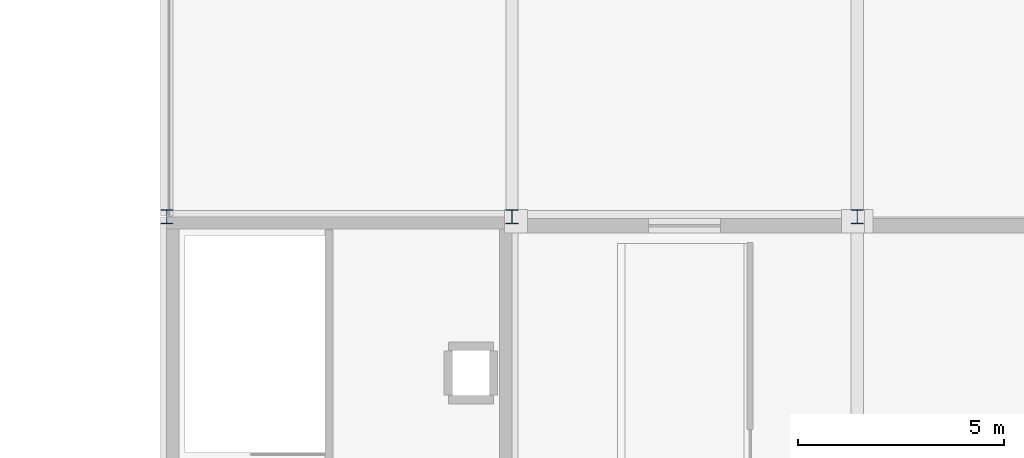
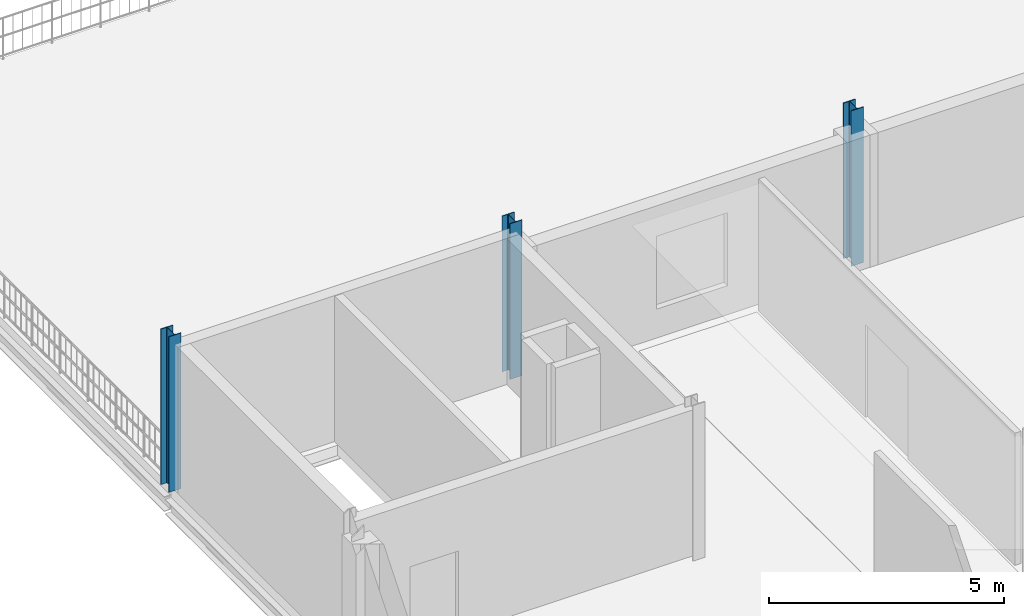
# One storey, part 6 of 77: 3 columns.
"""IFC4 building model written with IfcOpenShell, lengths in metres."""

import ifcopenshell
import ifcopenshell.guid

model = None  # the IFC model being written
_history = None  # IfcOwnerHistory: only IFC2X3 demands one
_inside = {}  # id of a spatial element -> (the spatial element, [elements in it])
_under = {}  # id of a project, library or spatial element -> (it, [spatial elements below it])
_declared = {}  # id of a project -> (the project, [libraries it declares])
_typed = {}  # id of a type object -> (the type object, [elements of that type])
_made_of = {}  # id of a material, layer set ... -> (it, [elements and type objects made of it])


def new_model(schema):
    """Start an empty IFC model of exactly this schema.

    Asked for "IFC4X3", IfcOpenShell would pick the latest addendum, in which some entities
    have other attributes; the version numbers below select the first issue.
    IFC2X3 requires an IfcOwnerHistory on every rooted entity: one is made here for all.
    """
    global model, _history
    if schema == "IFC4X3":
        model = ifcopenshell.file(schema_version=(4, 3, 0, 0))
    else:
        model = ifcopenshell.file(schema=schema)
    _inside.clear()
    _under.clear()
    _declared.clear()
    _typed.clear()
    _made_of.clear()
    _history = None
    if model.schema == "IFC2X3":
        org = make("IfcOrganization", Name="unknown")
        user = make(
            "IfcPersonAndOrganization",
            ThePerson=make("IfcPerson", FamilyName="unknown"),
            TheOrganization=org,
        )
        app = make(
            "IfcApplication",
            ApplicationDeveloper=org,
            Version="unknown",
            ApplicationFullName="unknown",
            ApplicationIdentifier="unknown",
        )
        _history = make(
            "IfcOwnerHistory",
            OwningUser=user,
            OwningApplication=app,
            ChangeAction="ADDED",
            CreationDate=0,
        )
    return model


def make(cls, **values):
    """One entity of the class cls with the attributes given. An attribute that is None is left unset."""
    return model.create_entity(
        cls, **{name: value for name, value in values.items() if value is not None}
    )


def rooted(cls, **values):
    """An entity with a GlobalId (a new one), such as an element, a storey or a relation."""
    return make(cls, GlobalId=ifcopenshell.guid.new(), OwnerHistory=_history, **values)


def si_unit(unit_type, name, prefix=None):
    """IfcSIUnit, for example si_unit("LENGTHUNIT", "METRE", prefix="MILLI")."""
    return make("IfcSIUnit", UnitType=unit_type, Prefix=prefix, Name=name)


def assignment(units):
    """IfcUnitAssignment: the units of a project."""
    return None if units is None else make("IfcUnitAssignment", Units=units)


def point(xyz):
    """IfcCartesianPoint."""
    return None if xyz is None else make("IfcCartesianPoint", Coordinates=xyz)


def direction(xyz):
    """IfcDirection."""
    return None if xyz is None else make("IfcDirection", DirectionRatios=xyz)


def frame(location, z_axis=None, x_axis=None):
    """IfcAxis2Placement3D, a coordinate frame: its origin and axes. An axis left out is left unset."""
    return make(
        "IfcAxis2Placement3D",
        Location=point(location),
        Axis=direction(z_axis),
        RefDirection=direction(x_axis),
    )


def frame_2d(location, x_axis=None):
    """IfcAxis2Placement2D, a coordinate frame in the plane: its origin and x axis."""
    return make(
        "IfcAxis2Placement2D", Location=point(location), RefDirection=direction(x_axis)
    )


def origin():
    """The frame at (0, 0, 0) with its axes left unset."""
    return frame((0.0, 0.0, 0.0))


def origin_2d():
    """The frame at (0, 0) in the plane with its x axis left unset."""
    return frame_2d((0.0, 0.0))


def place(relative_to, where):
    """IfcLocalPlacement: puts the frame where relative to a parent placement (None: the world)."""
    return make(
        "IfcLocalPlacement", PlacementRelTo=relative_to, RelativePlacement=where
    )


def context(
    kind, dimensions, precision=None, world=None, true_north=None, identifier=None
):
    """IfcGeometricRepresentationContext, for example the 3D "Model" context."""
    return make(
        "IfcGeometricRepresentationContext",
        ContextIdentifier=identifier,
        ContextType=kind,
        CoordinateSpaceDimension=dimensions,
        Precision=precision,
        WorldCoordinateSystem=world,
        TrueNorth=true_north,
    )


def subcontext(parent, identifier, kind, view, scale=None):
    """IfcGeometricRepresentationSubContext, for example "Body" below "Model"."""
    return make(
        "IfcGeometricRepresentationSubContext",
        ContextIdentifier=identifier,
        ContextType=kind,
        ParentContext=parent,
        TargetScale=scale,
        TargetView=view,
    )


def project(units=None, contexts=None):
    """IfcProject with its units and contexts."""
    return rooted(
        "IfcProject",
        Name="project",
        RepresentationContexts=contexts,
        UnitsInContext=assignment(units),
    )


def spatial(cls, under=None, at=None, **own):
    """A site, building, storey or space (cls), placed at a placement, below another one or the project."""
    s = rooted(cls, ObjectPlacement=at, **own)
    if under is not None:
        _under.setdefault(under.id(), (under, []))[1].append(s)
    return s


def profile(cls, at=None, kind="AREA", **sizes):
    """A parametric profile (cls). Its sizes go by their IFC names, for example OverallWidth=200.0."""
    return make(cls, ProfileType=kind, Position=at, **sizes)


def i_section(**sizes):
    """IfcIShapeProfileDef."""
    return profile("IfcIShapeProfileDef", **sizes)


def extrude(swept, where, along, depth):
    """IfcExtrudedAreaSolid: the profile swept, set in the frame where, extruded along a direction by depth."""
    return make(
        "IfcExtrudedAreaSolid",
        SweptArea=swept,
        Position=where,
        ExtrudedDirection=direction(along),
        Depth=depth,
    )


def shape(context_of_items, identifier, shape_type, items):
    """IfcShapeRepresentation: the items that make up one representation, for example the "Body"."""
    return make(
        "IfcShapeRepresentation",
        ContextOfItems=context_of_items,
        RepresentationIdentifier=identifier,
        RepresentationType=shape_type,
        Items=items,
    )


def material(Name=None, Category=None):
    """IfcMaterial."""
    return make("IfcMaterial", Name=Name, Category=Category)


def material_profile(
    of_material, cross_section, Name=None, Category=None, Priority=None
):
    """IfcMaterialProfile: a cross section and its material."""
    return make(
        "IfcMaterialProfile",
        Name=Name,
        Material=of_material,
        Profile=cross_section,
        Priority=Priority,
        Category=Category,
    )


def profile_set(profiles, Name=None, composite=None):
    """IfcMaterialProfileSet."""
    return make(
        "IfcMaterialProfileSet",
        Name=Name,
        MaterialProfiles=profiles,
        CompositeProfile=composite,
    )


def made_of(thing, what):
    """Note that an element or type object is made of a material, layer set ...; save() writes the relation."""
    if what is not None:
        _made_of.setdefault(what.id(), (what, []))[1].append(thing)
    return thing


def type_object(cls, material=None, **own):
    """A type object (cls), such as IfcWallType, which elements share."""
    return made_of(rooted(cls, **own), material)


def element(
    cls,
    number,
    at=None,
    inside=None,
    cuts=None,
    type_object=None,
    material=None,
    context=None,
    identifier="Body",
    shape_type=None,
    held_by="IfcProductDefinitionShape",
    body=None,
    shapes=None,
    **own,
):
    """One element of the class cls, such as IfcWall. Its Tag is "e" and its number.

    at: its placement. inside: the storey or other place that contains it. cuts: it is an
    opening in that element (IfcRelVoidsElement). A single representation is given by context,
    identifier, shape_type and body (its items); several are given by shapes. held_by: the class
    of the entity that holds the representations. save() writes the other relations.
    """
    e = rooted(cls, Tag="e%d" % number, ObjectPlacement=at, **own)
    if body is not None:
        shapes = [shape(context, identifier, shape_type, body)]
    if shapes is not None:
        e.Representation = make(held_by, Representations=shapes)
    if inside is not None:
        _inside.setdefault(inside.id(), (inside, []))[1].append(e)
    if cuts is not None:
        rooted(
            "IfcRelVoidsElement", RelatingBuildingElement=cuts, RelatedOpeningElement=e
        )
    if type_object is not None:
        _typed.setdefault(type_object.id(), (type_object, []))[1].append(e)
    return made_of(e, material)


def aggregate(whole, parts):
    """IfcRelAggregates: a whole, such as a stair, and the parts it consists of."""
    return rooted("IfcRelAggregates", RelatingObject=whole, RelatedObjects=parts)


def save(model, path):
    """Write the relations noted so far, then the file.

    IfcRelAggregates (storeys below a building ...), IfcRelContainedInSpatialStructure (elements
    in a storey), IfcRelDefinesByType, IfcRelAssociatesMaterial and IfcRelDeclares: one each for
    every whole, place, type object, material and project.
    """
    for whole, parts in _under.values():
        aggregate(whole, parts)
    for where, things in _inside.values():
        rooted(
            "IfcRelContainedInSpatialStructure",
            RelatedElements=things,
            RelatingStructure=where,
        )
    for kind, things in _typed.values():
        rooted("IfcRelDefinesByType", RelatedObjects=things, RelatingType=kind)
    for what, things in _made_of.values():
        rooted("IfcRelAssociatesMaterial", RelatedObjects=things, RelatingMaterial=what)
    for by, libraries in _declared.values():
        rooted("IfcRelDeclares", RelatingContext=by, RelatedDefinitions=libraries)
    model.write(path)


model = new_model("IFC4")

# Units and contexts
model_context = context("Model", 3, precision=1e-05, world=origin(), true_north=direction((0.0, 1.0)))
body_context = subcontext(model_context, "Body", "Model", "MODEL_VIEW")
ifc_project = project(units=[si_unit("LENGTHUNIT", "METRE"), si_unit("AREAUNIT", "SQUARE_METRE"), si_unit("VOLUMEUNIT", "CUBIC_METRE"), si_unit("PLANEANGLEUNIT", "RADIAN"), si_unit("MASSUNIT", "GRAM", prefix="KILO")], contexts=[model_context])

# Site, building, storey
site_placement = place(None, origin())
site = spatial("IfcSite", under=ifc_project, at=site_placement, CompositionType="ELEMENT")
building_placement = place(site_placement, origin())
building = spatial("IfcBuilding", under=site, at=building_placement, Name="Nabrawat Pavilion Hospital", CompositionType="ELEMENT")
storey_placement = place(building_placement, frame((0.0, 0.0, 14.85009765625)))
storey = spatial("IfcBuildingStorey", under=building, at=storey_placement, Name="L03", CompositionType="ELEMENT", Elevation=14.85009765625)

# Columns
ifc_material = material(Name="Steel S355", Category="steel")
ifc_material_profile = material_profile(ifc_material, i_section(OverallWidth=0.300048828125, OverallDepth=0.35009765625, WebThickness=0.009521484375, FlangeThickness=0.017578125, FilletRadius=0.027099609375, at=origin_2d()), Name="HEA 360")
ifc_profile_set = profile_set([ifc_material_profile], Name="Steel S355")
column_type = type_object("IfcColumnType", Name="Pavilion Top Steel Column HEA 360", PredefinedType="COLUMN", material=ifc_profile_set)
for number, where, z_axis, x_axis, name in (
    (1, (16.800048828125, 101.39990234375, 0.0), (0.0, 0.0, 1.0), (1.0, 0.0, 0.0), "L03 Structural Column G-3-P"),
    (2, (25.199951171875, 101.39990234375, 0.0), (0.0, 0.0, 1.0), (1.0, 0.0, 0.0), "L03 Structural Column G-4-P"),
    (3, (33.60009765625, 101.39990234375, 0.0), (0.0, 0.0, 1.0), (1.0, 0.0, 0.0), "L03 Structural Column G-5-P"),
):
    element("IfcColumn", number, at=place(storey_placement, frame(where, z_axis=z_axis, x_axis=x_axis)), inside=storey, type_object=column_type, Name=name, PredefinedType="COLUMN", context=body_context, shape_type="SweptSolid", body=[
        extrude(i_section(OverallWidth=0.300048828125, OverallDepth=0.35009765625, WebThickness=0.009521484375, FlangeThickness=0.017578125, FilletRadius=0.027099609375, at=origin_2d()), origin(), (0.0, 0.0, 1.0), 4.0498046875),
    ])

save(model, "model.ifc")
